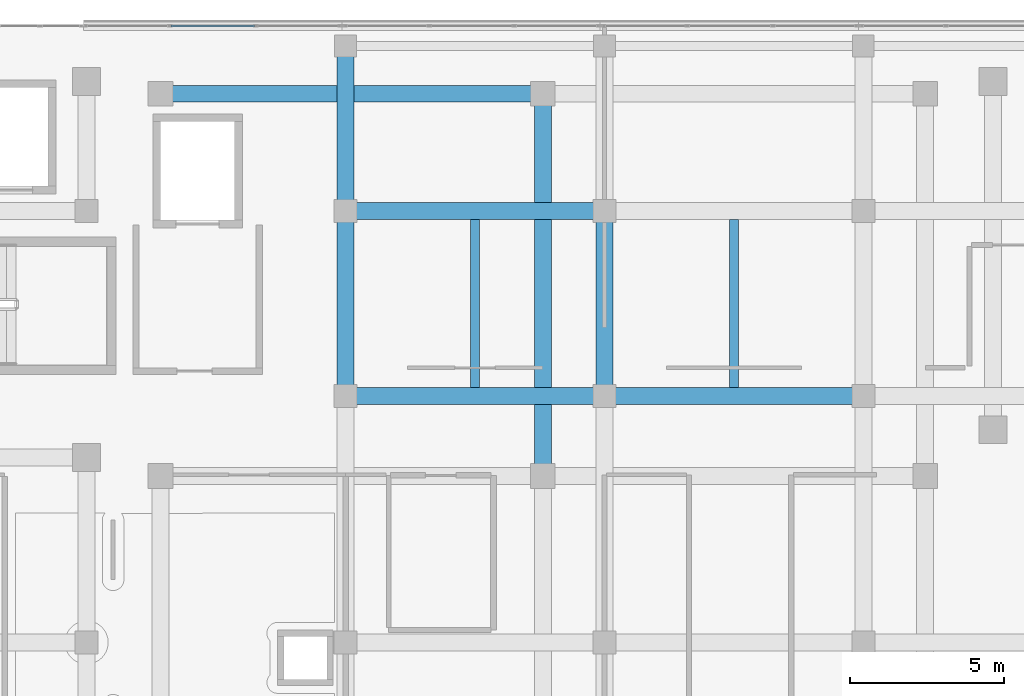
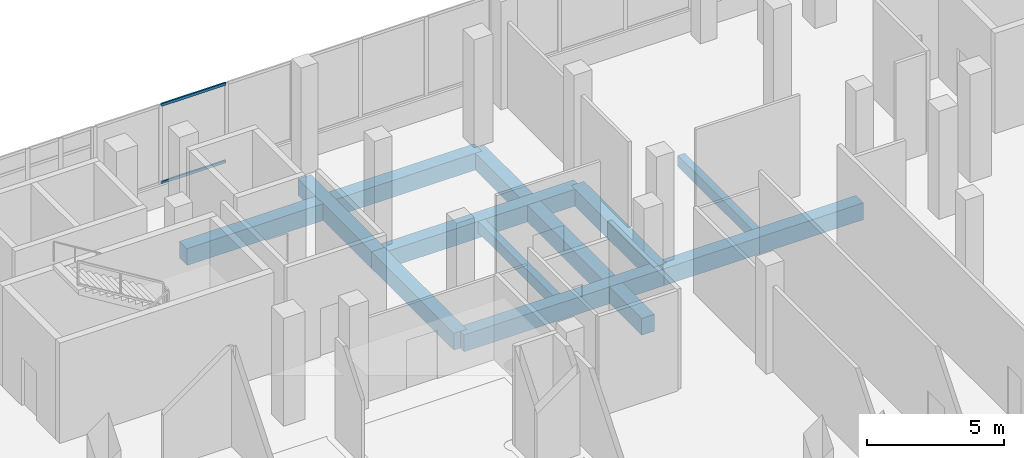
# One storey, part 72 of 155: 10 beams, 2 members, 1 element without a shape of its own.
"""IFC4 building model written with IfcOpenShell, lengths in metres."""

import ifcopenshell
import ifcopenshell.guid

model = None  # the IFC model being written
_history = None  # IfcOwnerHistory: only IFC2X3 demands one
_inside = {}  # id of a spatial element -> (the spatial element, [elements in it])
_under = {}  # id of a project, library or spatial element -> (it, [spatial elements below it])
_declared = {}  # id of a project -> (the project, [libraries it declares])
_typed = {}  # id of a type object -> (the type object, [elements of that type])
_made_of = {}  # id of a material, layer set ... -> (it, [elements and type objects made of it])


def new_model(schema):
    """Start an empty IFC model of exactly this schema.

    Asked for "IFC4X3", IfcOpenShell would pick the latest addendum, in which some entities
    have other attributes; the version numbers below select the first issue.
    IFC2X3 requires an IfcOwnerHistory on every rooted entity: one is made here for all.
    """
    global model, _history
    if schema == "IFC4X3":
        model = ifcopenshell.file(schema_version=(4, 3, 0, 0))
    else:
        model = ifcopenshell.file(schema=schema)
    _inside.clear()
    _under.clear()
    _declared.clear()
    _typed.clear()
    _made_of.clear()
    _history = None
    if model.schema == "IFC2X3":
        org = make("IfcOrganization", Name="unknown")
        user = make(
            "IfcPersonAndOrganization",
            ThePerson=make("IfcPerson", FamilyName="unknown"),
            TheOrganization=org,
        )
        app = make(
            "IfcApplication",
            ApplicationDeveloper=org,
            Version="unknown",
            ApplicationFullName="unknown",
            ApplicationIdentifier="unknown",
        )
        _history = make(
            "IfcOwnerHistory",
            OwningUser=user,
            OwningApplication=app,
            ChangeAction="ADDED",
            CreationDate=0,
        )
    return model


def make(cls, **values):
    """One entity of the class cls with the attributes given. An attribute that is None is left unset."""
    return model.create_entity(
        cls, **{name: value for name, value in values.items() if value is not None}
    )


def rooted(cls, **values):
    """An entity with a GlobalId (a new one), such as an element, a storey or a relation."""
    return make(cls, GlobalId=ifcopenshell.guid.new(), OwnerHistory=_history, **values)


def si_unit(unit_type, name, prefix=None):
    """IfcSIUnit, for example si_unit("LENGTHUNIT", "METRE", prefix="MILLI")."""
    return make("IfcSIUnit", UnitType=unit_type, Prefix=prefix, Name=name)


def assignment(units):
    """IfcUnitAssignment: the units of a project."""
    return None if units is None else make("IfcUnitAssignment", Units=units)


def point(xyz):
    """IfcCartesianPoint."""
    return None if xyz is None else make("IfcCartesianPoint", Coordinates=xyz)


def direction(xyz):
    """IfcDirection."""
    return None if xyz is None else make("IfcDirection", DirectionRatios=xyz)


def frame(location, z_axis=None, x_axis=None):
    """IfcAxis2Placement3D, a coordinate frame: its origin and axes. An axis left out is left unset."""
    return make(
        "IfcAxis2Placement3D",
        Location=point(location),
        Axis=direction(z_axis),
        RefDirection=direction(x_axis),
    )


def frame_2d(location, x_axis=None):
    """IfcAxis2Placement2D, a coordinate frame in the plane: its origin and x axis."""
    return make(
        "IfcAxis2Placement2D", Location=point(location), RefDirection=direction(x_axis)
    )


def origin():
    """The frame at (0, 0, 0) with its axes left unset."""
    return frame((0.0, 0.0, 0.0))


def origin_2d():
    """The frame at (0, 0) in the plane with its x axis left unset."""
    return frame_2d((0.0, 0.0))


def place(relative_to, where):
    """IfcLocalPlacement: puts the frame where relative to a parent placement (None: the world)."""
    return make(
        "IfcLocalPlacement", PlacementRelTo=relative_to, RelativePlacement=where
    )


def context(
    kind, dimensions, precision=None, world=None, true_north=None, identifier=None
):
    """IfcGeometricRepresentationContext, for example the 3D "Model" context."""
    return make(
        "IfcGeometricRepresentationContext",
        ContextIdentifier=identifier,
        ContextType=kind,
        CoordinateSpaceDimension=dimensions,
        Precision=precision,
        WorldCoordinateSystem=world,
        TrueNorth=true_north,
    )


def subcontext(parent, identifier, kind, view, scale=None):
    """IfcGeometricRepresentationSubContext, for example "Body" below "Model"."""
    return make(
        "IfcGeometricRepresentationSubContext",
        ContextIdentifier=identifier,
        ContextType=kind,
        ParentContext=parent,
        TargetScale=scale,
        TargetView=view,
    )


def project(units=None, contexts=None):
    """IfcProject with its units and contexts."""
    return rooted(
        "IfcProject",
        Name="project",
        RepresentationContexts=contexts,
        UnitsInContext=assignment(units),
    )


def spatial(cls, under=None, at=None, **own):
    """A site, building, storey or space (cls), placed at a placement, below another one or the project."""
    s = rooted(cls, ObjectPlacement=at, **own)
    if under is not None:
        _under.setdefault(under.id(), (under, []))[1].append(s)
    return s


def profile(cls, at=None, kind="AREA", **sizes):
    """A parametric profile (cls). Its sizes go by their IFC names, for example OverallWidth=200.0."""
    return make(cls, ProfileType=kind, Position=at, **sizes)


def rectangle(**sizes):
    """IfcRectangleProfileDef."""
    return profile("IfcRectangleProfileDef", **sizes)


def hollow_rectangle(**sizes):
    """IfcRectangleHollowProfileDef."""
    return profile("IfcRectangleHollowProfileDef", **sizes)


def extrude(swept, where, along, depth):
    """IfcExtrudedAreaSolid: the profile swept, set in the frame where, extruded along a direction by depth."""
    return make(
        "IfcExtrudedAreaSolid",
        SweptArea=swept,
        Position=where,
        ExtrudedDirection=direction(along),
        Depth=depth,
    )


def shape(context_of_items, identifier, shape_type, items):
    """IfcShapeRepresentation: the items that make up one representation, for example the "Body"."""
    return make(
        "IfcShapeRepresentation",
        ContextOfItems=context_of_items,
        RepresentationIdentifier=identifier,
        RepresentationType=shape_type,
        Items=items,
    )


def material(Name=None, Category=None):
    """IfcMaterial."""
    return make("IfcMaterial", Name=Name, Category=Category)


def material_profile(
    of_material, cross_section, Name=None, Category=None, Priority=None
):
    """IfcMaterialProfile: a cross section and its material."""
    return make(
        "IfcMaterialProfile",
        Name=Name,
        Material=of_material,
        Profile=cross_section,
        Priority=Priority,
        Category=Category,
    )


def profile_set(profiles, Name=None, composite=None):
    """IfcMaterialProfileSet."""
    return make(
        "IfcMaterialProfileSet",
        Name=Name,
        MaterialProfiles=profiles,
        CompositeProfile=composite,
    )


def made_of(thing, what):
    """Note that an element or type object is made of a material, layer set ...; save() writes the relation."""
    if what is not None:
        _made_of.setdefault(what.id(), (what, []))[1].append(thing)
    return thing


def type_object(cls, material=None, **own):
    """A type object (cls), such as IfcWallType, which elements share."""
    return made_of(rooted(cls, **own), material)


def element(
    cls,
    number,
    at=None,
    inside=None,
    cuts=None,
    type_object=None,
    material=None,
    context=None,
    identifier="Body",
    shape_type=None,
    held_by="IfcProductDefinitionShape",
    body=None,
    shapes=None,
    **own,
):
    """One element of the class cls, such as IfcWall. Its Tag is "e" and its number.

    at: its placement. inside: the storey or other place that contains it. cuts: it is an
    opening in that element (IfcRelVoidsElement). A single representation is given by context,
    identifier, shape_type and body (its items); several are given by shapes. held_by: the class
    of the entity that holds the representations. save() writes the other relations.
    """
    e = rooted(cls, Tag="e%d" % number, ObjectPlacement=at, **own)
    if body is not None:
        shapes = [shape(context, identifier, shape_type, body)]
    if shapes is not None:
        e.Representation = make(held_by, Representations=shapes)
    if inside is not None:
        _inside.setdefault(inside.id(), (inside, []))[1].append(e)
    if cuts is not None:
        rooted(
            "IfcRelVoidsElement", RelatingBuildingElement=cuts, RelatedOpeningElement=e
        )
    if type_object is not None:
        _typed.setdefault(type_object.id(), (type_object, []))[1].append(e)
    return made_of(e, material)


def aggregate(whole, parts):
    """IfcRelAggregates: a whole, such as a stair, and the parts it consists of."""
    return rooted("IfcRelAggregates", RelatingObject=whole, RelatedObjects=parts)


def save(model, path):
    """Write the relations noted so far, then the file.

    IfcRelAggregates (storeys below a building ...), IfcRelContainedInSpatialStructure (elements
    in a storey), IfcRelDefinesByType, IfcRelAssociatesMaterial and IfcRelDeclares: one each for
    every whole, place, type object, material and project.
    """
    for whole, parts in _under.values():
        aggregate(whole, parts)
    for where, things in _inside.values():
        rooted(
            "IfcRelContainedInSpatialStructure",
            RelatedElements=things,
            RelatingStructure=where,
        )
    for kind, things in _typed.values():
        rooted("IfcRelDefinesByType", RelatedObjects=things, RelatingType=kind)
    for what, things in _made_of.values():
        rooted("IfcRelAssociatesMaterial", RelatedObjects=things, RelatingMaterial=what)
    for by, libraries in _declared.values():
        rooted("IfcRelDeclares", RelatingContext=by, RelatedDefinitions=libraries)
    model.write(path)


model = new_model("IFC4")

# Units and contexts
model_context = context("Model", 3, precision=1e-05, world=origin(), true_north=direction((0.0, 1.0)))
body_context = subcontext(model_context, "Body", "Model", "MODEL_VIEW")
ifc_project = project(units=[si_unit("LENGTHUNIT", "METRE"), si_unit("AREAUNIT", "SQUARE_METRE"), si_unit("VOLUMEUNIT", "CUBIC_METRE"), si_unit("PLANEANGLEUNIT", "RADIAN"), si_unit("MASSUNIT", "GRAM", prefix="KILO")], contexts=[model_context])

# Site, building, storey
site_placement = place(None, origin())
site = spatial("IfcSite", under=ifc_project, at=site_placement, CompositionType="ELEMENT")
building_placement = place(site_placement, origin())
building = spatial("IfcBuilding", under=site, at=building_placement, Name="Selatvlak General Hospital", CompositionType="ELEMENT")
storey_placement = place(building_placement, frame((0.0, 0.0, 10.199951171875)))
storey = spatial("IfcBuildingStorey", under=building, at=storey_placement, Name="L02", CompositionType="ELEMENT", Elevation=10.199951171875)

# Beams
ifc_material_1 = material(Name="Concrete C40/50", Category="concrete")
ifc_material_profile_1 = material_profile(ifc_material_1, rectangle(XDim=0.550048828125, YDim=0.75, at=origin_2d()), Name="RC-BM 550x750")
ifc_profile_set_1 = profile_set([ifc_material_profile_1], Name="Concrete C40/50")
beam_type_1 = type_object("IfcBeamType", Name="BM-G02", PredefinedType="BEAM", material=ifc_profile_set_1)
beam_1_placement = place(storey_placement, frame((64.800048828125, 108.0, -0.72998046875), z_axis=(1.0, 0.0, 0.0), x_axis=(0.0, 1.0, 0.0)))
element("IfcBeam", 1, at=beam_1_placement, inside=storey, type_object=beam_type_1, Name="Beam BMR-L02-0885", PredefinedType="BEAM", context=body_context, shape_type="SweptSolid", body=[
    extrude(rectangle(XDim=0.550048828125, YDim=0.75, at=origin_2d()), origin(), (0.0, 0.0, 1.0), 8.39990234375),
])
beam_2_placement = place(storey_placement, frame((73.199951171875, 108.0, -0.72998046875), z_axis=(1.0, 0.0, 0.0), x_axis=(0.0, 1.0, 0.0)))
element("IfcBeam", 2, at=beam_2_placement, inside=storey, type_object=beam_type_1, Name="Beam BMR-L02-0886", PredefinedType="BEAM", context=body_context, shape_type="SweptSolid", body=[
    extrude(rectangle(XDim=0.550048828125, YDim=0.75, at=origin_2d()), origin(), (0.0, 0.0, 1.0), 8.400146484375),
])
beam_3_placement = place(storey_placement, frame((64.800048828125, 114.0, -0.72998046875), z_axis=(1.0, 0.0, 0.0), x_axis=(0.0, 1.0, 0.0)))
element("IfcBeam", 3, at=beam_3_placement, inside=storey, type_object=beam_type_1, Name="Beam BMR-L02-0899", PredefinedType="BEAM", context=body_context, shape_type="SweptSolid", body=[
    extrude(rectangle(XDim=0.550048828125, YDim=0.75, at=origin_2d()), origin(), (0.0, 0.0, 1.0), 8.39990234375),
])
beam_4_placement = place(storey_placement, frame((58.800048828125, 117.800048828125, -0.72998046875), z_axis=(1.0, 0.0, 0.0), x_axis=(0.0, 1.0, 0.0)))
element("IfcBeam", 4, at=beam_4_placement, inside=storey, type_object=beam_type_1, Name="Beam BMR-L02-0908", PredefinedType="BEAM", context=body_context, shape_type="SweptSolid", body=[
    extrude(rectangle(XDim=0.550048828125, YDim=0.75, at=origin_2d()), origin(), (0.0, 0.0, 1.0), 12.39990234375),
])
beam_5_placement = place(storey_placement, frame((64.800048828125, 108.0, -0.72998046875), z_axis=(0.0, 1.0, 0.0), x_axis=(-1.0, 0.0, 0.0)))
element("IfcBeam", 5, at=beam_5_placement, inside=storey, type_object=beam_type_1, Name="Beam BMR-L02-0972", PredefinedType="BEAM", context=body_context, shape_type="SweptSolid", body=[
    extrude(rectangle(XDim=0.550048828125, YDim=0.75, at=origin_2d()), origin(), (0.0, 0.0, 1.0), 6.0),
])
beam_6_placement = place(storey_placement, frame((64.800048828125, 114.0, -0.72998046875), z_axis=(0.0, 1.0, 0.0), x_axis=(-1.0, 0.0, 0.0)))
element("IfcBeam", 6, at=beam_6_placement, inside=storey, type_object=beam_type_1, Name="Beam BMR-L02-0973", PredefinedType="BEAM", context=body_context, shape_type="SweptSolid", body=[
    extrude(rectangle(XDim=0.550048828125, YDim=0.75, at=origin_2d()), origin(), (0.0, 0.0, 1.0), 5.35009765625),
])
beam_7_placement = place(storey_placement, frame((71.199951171875, 105.39990234375, -0.72998046875), z_axis=(0.0, 1.0, 0.0), x_axis=(-1.0, 0.0, 0.0)))
element("IfcBeam", 7, at=beam_7_placement, inside=storey, type_object=beam_type_1, Name="Beam BMR-L02-0975", PredefinedType="BEAM", context=body_context, shape_type="SweptSolid", body=[
    extrude(rectangle(XDim=0.550048828125, YDim=0.75, at=origin_2d()), origin(), (0.0, 0.0, 1.0), 12.400146484375),
])
beam_8_placement = place(storey_placement, frame((73.199951171875, 108.0, -0.72998046875), z_axis=(0.0, 1.0, 0.0), x_axis=(-1.0, 0.0, 0.0)))
element("IfcBeam", 8, at=beam_8_placement, inside=storey, type_object=beam_type_1, Name="Beam BMR-L02-0981", PredefinedType="BEAM", context=body_context, shape_type="SweptSolid", body=[
    extrude(rectangle(XDim=0.550048828125, YDim=0.75, at=origin_2d()), origin(), (0.0, 0.0, 1.0), 6.0),
])
ifc_material_profile_2 = material_profile(ifc_material_1, rectangle(XDim=0.300048828125, YDim=0.5, at=origin_2d()), Name="RC-BM 300x500")
ifc_profile_set_2 = profile_set([ifc_material_profile_2], Name="Concrete C40/50")
beam_type_2 = type_object("IfcBeamType", Name="BM-J02", PredefinedType="JOIST", material=ifc_profile_set_2)
for number, where, z_axis, x_axis, name in (
    (9, (69.0, 108.27490234375, -0.60498046875), (0.0, 1.0, 0.0), (-1.0, 0.0, 0.0), "Beam BMR-L02-1090"),
    (10, (77.39990234375, 108.27490234375, -0.60498046875), (0.0, 1.0, 0.0), (-1.0, 0.0, 0.0), "Beam BMR-L02-1091"),
):
    element("IfcBeam", number, at=place(storey_placement, frame(where, z_axis=z_axis, x_axis=x_axis)), inside=storey, type_object=beam_type_2, Name=name, PredefinedType="JOIST", context=body_context, shape_type="SweptSolid", body=[
        extrude(rectangle(XDim=0.300048828125, YDim=0.5, at=origin_2d()), origin(), (0.0, 0.0, 1.0), 5.4501953125),
    ])

# Curtain wall, members
ifc_material_2 = material(Name="Solar-control Low-E double glazing", Category="glass")
curtain_wall_type = type_object("IfcCurtainWallType", Name="CW-CW-01", PredefinedType="USERDEFINED", material=ifc_material_2)
curtain_wall_placement = place(storey_placement, origin())
curtain_wall = element("IfcCurtainWall", 11, at=curtain_wall_placement, inside=storey, type_object=curtain_wall_type, Name="Glazed facade curtain wall CW-L02-0248", ObjectType="UNITISED CURTAIN WALL", PredefinedType="USERDEFINED")
ifc_material_3 = material(Name="Dark anodised aluminium mullion", Category="aluminium")
ifc_material_profile_3 = material_profile(ifc_material_3, hollow_rectangle(XDim=0.06494140625, YDim=0.1201171875, WallThickness=0.00390625, at=origin_2d()), Name="AL-TRN 65x120x4")
ifc_profile_set_3 = profile_set([ifc_material_profile_3], Name="Dark anodised aluminium mullion")
member_type = type_object("IfcMemberType", Name="CWT-01", PredefinedType="USERDEFINED", material=ifc_profile_set_3)
member_1_placement = place(storey_placement, frame((59.130859375, 119.9990234375, 0.97265625), z_axis=(1.0, 0.0, 0.0), x_axis=(0.0, 1.0, 0.0)))
member_1 = element("IfcMember", 12, at=member_1_placement, type_object=member_type, Name="CW-01 transom 2.1", ObjectType="TRANSOM", PredefinedType="USERDEFINED", context=body_context, shape_type="SweptSolid", body=[
    extrude(hollow_rectangle(XDim=0.06494140625, YDim=0.1201171875, WallThickness=0.00390625, at=origin_2d()), origin(), (0.0, 0.0, 1.0), 2.71826171875),
])
member_2_placement = place(storey_placement, frame((59.130859375, 119.9990234375, 4.427490234375), z_axis=(1.0, 0.0, 0.0), x_axis=(0.0, 1.0, 0.0)))
member_2 = element("IfcMember", 13, at=member_2_placement, type_object=member_type, Name="CW-01 transom 2.2", ObjectType="TRANSOM", PredefinedType="USERDEFINED", context=body_context, shape_type="SweptSolid", body=[
    extrude(hollow_rectangle(XDim=0.06494140625, YDim=0.1201171875, WallThickness=0.00390625, at=origin_2d()), origin(), (0.0, 0.0, 1.0), 2.71826171875),
])
aggregate(curtain_wall, [member_1, member_2])

save(model, "model.ifc")
